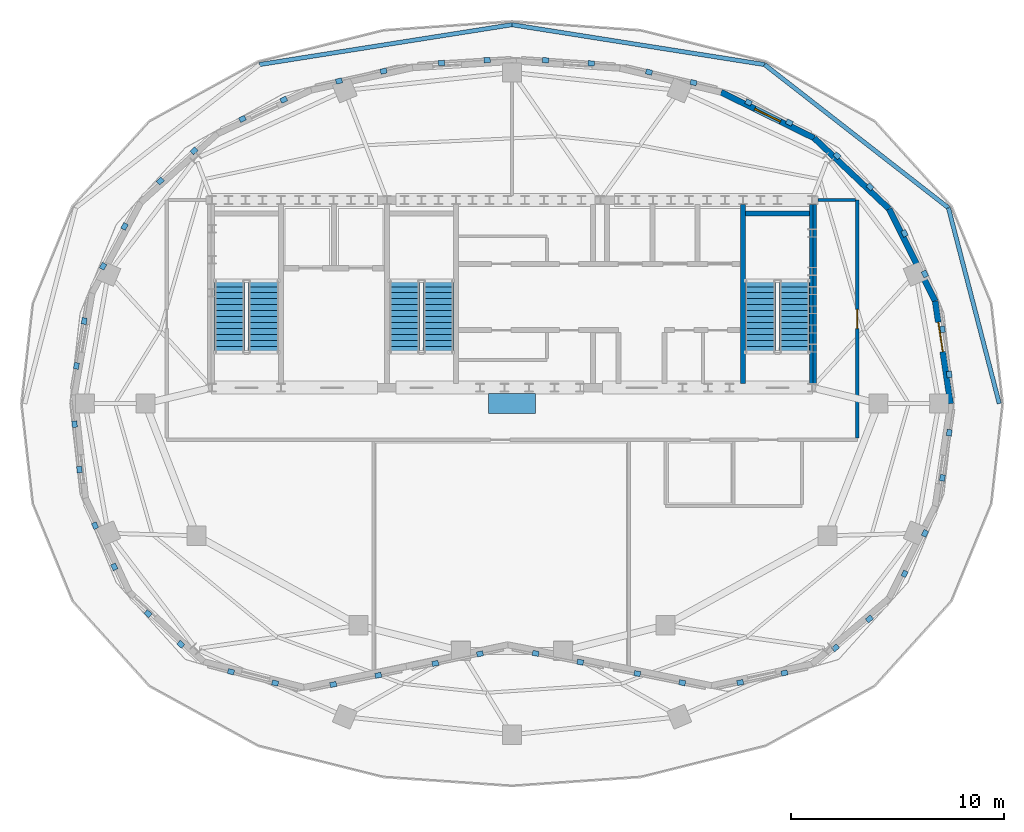
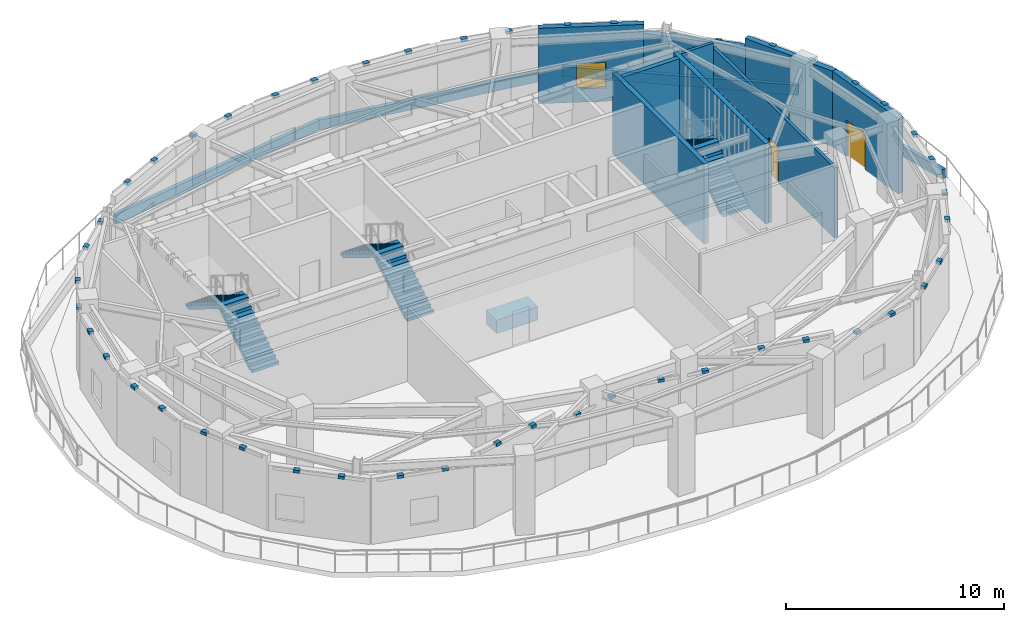
# One storey, part 5 of 8: 49 discrete accessories, 14 walls, 6 stair flights, 2 doors, 1 window, 3 openings, 3 elements without a shape of their own.
"""IFC4 building model written with IfcOpenShell, lengths in metres."""

from ifc_helpers import new_model, si_unit, direction, frame, frame_2d, origin, origin_2d, place, context, subcontext, project, spatial, polyline, rectangle, outline, extrude, material, layer, layer_set, type_object, element, fill, aggregate, save


model = new_model("IFC4")

# Units and contexts
model_context = context("Model", 3, precision=1e-05, world=origin(), true_north=direction((0.0, 1.0)))
body_context = subcontext(model_context, "Body", "Model", "MODEL_VIEW")
ifc_project = project(units=[si_unit("LENGTHUNIT", "METRE"), si_unit("AREAUNIT", "SQUARE_METRE"), si_unit("VOLUMEUNIT", "CUBIC_METRE"), si_unit("PLANEANGLEUNIT", "RADIAN"), si_unit("MASSUNIT", "GRAM", prefix="KILO")], contexts=[model_context])

# Site, building, storey
site_placement = place(None, origin())
site = spatial("IfcSite", under=ifc_project, at=site_placement, CompositionType="ELEMENT")
building_placement = place(site_placement, origin())
building = spatial("IfcBuilding", under=site, at=building_placement, Name="Haldorwick Loom Tower", CompositionType="ELEMENT")
storey_placement = place(building_placement, frame((0.0, 0.0, 291.5)))
storey = spatial("IfcBuildingStorey", under=building, at=storey_placement, Name="L78", CompositionType="ELEMENT", Elevation=291.5)

# Wall, opening, door
ifc_material_1 = material(Name="Pressed Clay Face Brick and Insulated Masonry Backup Assembly", Category="masonry")
ifc_layer_1 = layer(ifc_material_1, 0.280029296875, Name="Pressed Clay Face Brick and Insulated Masonry Backup Assembly", Category="masonry")
ifc_layer_set_1 = layer_set([ifc_layer_1], Name="Pressed Clay Face Brick and Insulated Masonry Backup Assembly")
wall_type_1 = type_object("IfcWallType", Name="ARC-WL-EXT280", PredefinedType="STANDARD", material=ifc_layer_set_1)
wall_1_placement = place(storey_placement, frame((56.573486328125, 26.0, 0.0), z_axis=(0.0, 0.0, 1.0), x_axis=(-0.148254556499, 0.988949233519, 0.0)))
wall_1 = element("IfcWall", 1, at=wall_1_placement, inside=storey, type_object=wall_type_1, Name="L78 Brick Pier and Spandrel Wall 1", PredefinedType="STANDARD", context=body_context, shape_type="SweptSolid", body=[
    extrude(rectangle(XDim=4.864501953125, YDim=0.280029296875, at=frame_2d((2.43212890625, 0.0))), origin(), (0.0, 0.0, 1.0), 4.219970703125),
])
opening_1_placement = place(wall_1_placement, frame((2.458740234375, 0.0, 0.0)))
opening_1 = element("IfcOpeningElement", 2, at=opening_1_placement, cuts=wall_1, Name="Opening D-TR14", PredefinedType="OPENING", context=body_context, shape_type="SweptSolid", body=[
    extrude(rectangle(XDim=1.39990234375, YDim=2.0400390625, at=frame_2d((0.699951171875, 1.02001953125))), frame((0.0, 0.14990234375, 0.0), z_axis=(0.0, -1.0, 0.0), x_axis=(1.0, 0.0, 0.0)), (0.0, 0.0, 1.0), 0.300048828125),
])
ifc_material_2 = material(Name="Thermally Broken Anodized Aluminium Curtain Wall Framing", Category="aluminium")
door_type_1 = type_object("IfcDoorType", Name="ARC-DR-EXT-TER", OperationType="DOUBLE_DOOR_SINGLE_SWING", PredefinedType="DOOR", material=ifc_material_2)
door_1_placement = place(opening_1_placement, origin())
door_1 = element("IfcDoor", 3, at=door_1_placement, inside=storey, type_object=door_type_1, Name="L78 Outdoor Terrace Door SLB-L78-TERR-1", OperationType="DOUBLE_DOOR_SINGLE_SWING", OverallHeight=2.0400390625, OverallWidth=1.39990234375, PredefinedType="DOOR", context=body_context, shape_type="SweptSolid", body=[
    extrude(rectangle(XDim=1.39990234375, YDim=2.0400390625, at=frame_2d((0.699951171875, 1.02001953125))), frame((0.0, 0.02490234375, 0.0), z_axis=(0.0, -1.0, 0.0), x_axis=(1.0, 0.0, 0.0)), (0.0, 0.0, 1.0), 0.050048828125),
])
fill(opening_1, door_1)

# Walls
wall_2_placement = place(storey_placement, frame((55.852294921875, 30.810791015625, 0.0), z_axis=(0.0, 0.0, 1.0), x_axis=(-0.448041427235, 0.894012796039, 0.0)))
element("IfcWall", 4, at=wall_2_placement, inside=storey, type_object=wall_type_1, Name="L78 Brick Pier and Spandrel Wall 2", PredefinedType="STANDARD", context=body_context, shape_type="SweptSolid", body=[
    extrude(rectangle(XDim=4.83544921875, YDim=0.280029296875, at=frame_2d((2.417724609375, 0.0))), origin(), (0.0, 0.0, 1.0), 4.219970703125),
])
wall_3_placement = place(storey_placement, frame((53.685791015625, 35.1337890625, 0.0), z_axis=(0.0, 0.0, 1.0), x_axis=(-0.726472503971, 0.687195533291, 0.0)))
element("IfcWall", 5, at=wall_3_placement, inside=storey, type_object=wall_type_1, Name="L78 Brick Pier and Spandrel Wall 3", PredefinedType="STANDARD", context=body_context, shape_type="SweptSolid", body=[
    extrude(rectangle(XDim=4.8359375, YDim=0.280029296875, at=frame_2d((2.41796875, 0.0))), origin(), (0.0, 0.0, 1.0), 3.72900390625),
])

# Wall, opening, window
wall_4_placement = place(storey_placement, frame((50.172607421875, 38.45703125, 0.0), z_axis=(0.0, 0.0, 1.0), x_axis=(-0.897033755298, 0.441962036669, 0.0)))
wall_4 = element("IfcWall", 6, at=wall_4_placement, inside=storey, type_object=wall_type_1, Name="L78 Brick Pier and Spandrel Wall 4", PredefinedType="STANDARD", context=body_context, shape_type="SweptSolid", body=[
    extrude(rectangle(XDim=4.860595703125, YDim=0.280029296875, at=frame_2d((2.43017578125, 0.0))), origin(), (0.0, 0.0, 1.0), 4.219970703125),
])
opening_2_placement = place(wall_4_placement, frame((1.75537109375, 0.0, 0.75)))
opening_2 = element("IfcOpeningElement", 7, at=opening_2_placement, cuts=wall_4, Name="Opening W-02B", PredefinedType="OPENING", context=body_context, shape_type="SweptSolid", body=[
    extrude(rectangle(XDim=1.35009765625, YDim=1.419921875, at=frame_2d((0.675048828125, 0.7099609375))), frame((0.0, 0.14990234375, 0.0), z_axis=(0.0, -1.0, 0.0), x_axis=(1.0, 0.0, 0.0)), (0.0, 0.0, 1.0), 0.300048828125),
])
ifc_material_3 = material(Name="Triple-Glazed Low-E Argon Insulated Glazing Unit", Category="glass")
window_type = type_object("IfcWindowType", Name="ARC-WIN-W135", PartitioningType="SINGLE_PANEL", PredefinedType="WINDOW", material=ifc_material_3)
window_placement = place(opening_2_placement, origin())
window = element("IfcWindow", 8, at=window_placement, inside=storey, type_object=window_type, Name="L78 Deep-Set Zone 7A Window 4", OverallHeight=1.419921875, OverallWidth=1.35009765625, PartitioningType="SINGLE_PANEL", PredefinedType="WINDOW", context=body_context, shape_type="SweptSolid", body=[
    extrude(rectangle(XDim=1.35009765625, YDim=1.419921875, at=frame_2d((0.675048828125, 0.7099609375))), frame((0.0, 0.030029296875, 0.0), z_axis=(0.0, -1.0, 0.0), x_axis=(1.0, 0.0, 0.0)), (0.0, 0.0, 1.0), 0.06005859375),
])
fill(opening_2, window)

# Wall, opening, door
ifc_material_4 = material(Name="Fire-Rated Type X Gypsum Stud Assembly EI 60")
ifc_layer_2 = layer(ifc_material_4, 0.159912109375, Name="Fire-Rated Type X Gypsum Stud Assembly EI 60")
ifc_layer_set_2 = layer_set([ifc_layer_2], Name="Fire-Rated Type X Gypsum Stud Assembly EI 60")
wall_type_2 = type_object("IfcWallType", Name="ARC-WL-FIRE160", PredefinedType="PARTITIONING", material=ifc_layer_set_2)
wall_5_placement = place(storey_placement, frame((52.199951171875, 24.383056640625, 0.0), z_axis=(0.0, 0.0, 1.0), x_axis=(0.0, 1.0, 0.0)))
wall_5 = element("IfcWall", 9, at=wall_5_placement, inside=storey, type_object=wall_type_2, Name="L78 Interior Partition L78-CE0", PredefinedType="PARTITIONING", context=body_context, shape_type="SweptSolid", body=[
    extrude(rectangle(XDim=11.1669921875, YDim=0.159912109375, at=frame_2d((5.58349609375, 0.0))), origin(), (0.0, 0.0, 1.0), 3.93701171875),
])
opening_3_placement = place(wall_5_placement, frame((5.133544921875, 0.0, 0.0)))
opening_3 = element("IfcOpeningElement", 10, at=opening_3_placement, cuts=wall_5, Name="Opening D-FD60A", PredefinedType="OPENING", context=body_context, shape_type="SweptSolid", body=[
    extrude(rectangle(XDim=0.89990234375, YDim=2.0, at=frame_2d((0.449951171875, 1.0))), frame((0.0, 0.08984375, 0.0), z_axis=(0.0, -1.0, 0.0), x_axis=(1.0, 0.0, 0.0)), (0.0, 0.0, 1.0), 0.179931640625),
])
ifc_material_5 = material(Name="Hollow Steel Fire Door Assembly", Category="steel")
door_type_2 = type_object("IfcDoorType", Name="ARC-DR-FD60-90", OperationType="NOTDEFINED", PredefinedType="DOOR", material=ifc_material_5)
door_2_placement = place(opening_3_placement, origin())
door_2 = element("IfcDoor", 11, at=door_2_placement, inside=storey, type_object=door_type_2, Name="L78 L78 Central Transfer Corridor to Conservatory Seminar Room 5 Door", OperationType="SINGLE_SWING_LEFT", OverallHeight=2.0, OverallWidth=0.89990234375, PredefinedType="DOOR", context=body_context, shape_type="SweptSolid", body=[
    extrude(rectangle(XDim=0.89990234375, YDim=2.0, at=frame_2d((0.449951171875, 1.0))), frame((0.0, 0.02490234375, 0.0), z_axis=(0.0, -1.0, 0.0), x_axis=(1.0, 0.0, 0.0)), (0.0, 0.0, 1.0), 0.050048828125),
])
fill(opening_3, door_2)

# Walls
wall_6_placement = place(storey_placement, frame((50.199951171875, 26.952880859375, 0.0), z_axis=(0.0, 0.0, 1.0), x_axis=(0.0, 1.0, 0.0)))
element("IfcWall", 12, at=wall_6_placement, inside=storey, type_object=wall_type_2, Name="L78 Interior Partition L78-CE2", PredefinedType="PARTITIONING", context=body_context, shape_type="SweptSolid", body=[
    extrude(rectangle(XDim=8.39404296875, YDim=0.159912109375, at=frame_2d((4.197021484375, 0.0))), origin(), (0.0, 0.0, 1.0), 4.205078125),
])
wall_7_placement = place(storey_placement, frame((50.35009765625, 35.550048828125, 0.0), z_axis=(0.0, 0.0, 1.0), x_axis=(1.0, 0.0, 0.0)))
element("IfcWall", 13, at=wall_7_placement, inside=storey, type_object=wall_type_2, Name="L78 Interior Partition L78-CEN", PredefinedType="PARTITIONING", context=body_context, shape_type="SweptSolid", body=[
    extrude(rectangle(XDim=1.766845703125, YDim=0.159912109375, at=frame_2d((0.88330078125, 0.0))), origin(), (0.0, 0.0, 1.0), 4.205078125),
])
ifc_layer_3 = layer(ifc_material_1, 0.199951171875, Name="Pressed Clay Face Brick and Insulated Masonry Backup Assembly", Category="masonry")
ifc_layer_set_3 = layer_set([ifc_layer_3], Name="Pressed Clay Face Brick and Insulated Masonry Backup Assembly")
wall_type_3 = type_object("IfcWallType", Name="ARC-WL-PARAPET200", PredefinedType="PARAPET", material=ifc_layer_set_3)
wall_8_placement = place(storey_placement, frame((24.1513671875, 41.90380859375, 0.0), z_axis=(0.0, 0.0, 1.0), x_axis=(0.987762800306, 0.155963618617, 0.0)))
element("IfcWall", 14, at=wall_8_placement, inside=storey, type_object=wall_type_3, Name="L78 Terrace Masonry Parapet 3", PredefinedType="PARAPET", context=body_context, shape_type="SweptSolid", body=[
    extrude(rectangle(XDim=11.995361328125, YDim=0.199951171875, at=frame_2d((5.99755859375, 0.0))), origin(), (0.0, 0.0, 1.0), 0.550048828125),
])
wall_9_placement = place(storey_placement, frame((36.0, 43.774658203125, 0.0), z_axis=(0.0, 0.0, 1.0), x_axis=(0.987758509696, -0.155990789864, 0.0)))
element("IfcWall", 15, at=wall_9_placement, inside=storey, type_object=wall_type_3, Name="L78 Terrace Masonry Parapet 4", PredefinedType="PARAPET", context=body_context, shape_type="SweptSolid", body=[
    extrude(rectangle(XDim=11.99658203125, YDim=0.199951171875, at=frame_2d((5.998291015625, 0.0))), origin(), (0.0, 0.0, 1.0), 0.550048828125),
])
wall_10_placement = place(storey_placement, frame((47.849609375, 41.9033203125, 0.0), z_axis=(0.0, 0.0, 1.0), x_axis=(0.788767530355, -0.614691616225, 0.0)))
element("IfcWall", 16, at=wall_10_placement, inside=storey, type_object=wall_type_3, Name="L78 Terrace Masonry Parapet 5", PredefinedType="PARAPET", context=body_context, shape_type="SweptSolid", body=[
    extrude(rectangle(XDim=10.933837890625, YDim=0.199951171875, at=frame_2d((5.466796875, 0.0))), origin(), (0.0, 0.0, 1.0), 0.550048828125),
])
wall_11_placement = place(storey_placement, frame((56.473876953125, 35.182373046875, 0.0), z_axis=(0.0, 0.0, 1.0), x_axis=(0.251444387214, -0.967871747774, 0.0)))
element("IfcWall", 17, at=wall_11_placement, inside=storey, type_object=wall_type_3, Name="L78 Terrace Masonry Parapet 6", PredefinedType="PARAPET", context=body_context, shape_type="SweptSolid", body=[
    extrude(rectangle(XDim=9.487060546875, YDim=0.199951171875, at=frame_2d((4.74365234375, 0.0))), origin(), (0.0, 0.0, 1.0), 0.550048828125),
])
ifc_material_6 = material(Name="Concrete C50 (50 MPa)", Category="concrete")
ifc_layer_4 = layer(ifc_material_6, 0.239990234375, Name="Concrete C50 (50 MPa)", Category="concrete")
ifc_layer_set_4 = layer_set([ifc_layer_4], Name="Concrete C50 (50 MPa)")
wall_type_4 = type_object("IfcWallType", Name="STR-WL-SHAFT240", PredefinedType="SHEAR", material=ifc_layer_set_4)
for number, where, z_axis, x_axis, name in (
    (18, (50.070068359375, 26.952880859375, 0.0), (0.0, 0.0, 1.0), (0.0, 1.0, 0.0), "L78 Core Shear Wall E"),
    (19, (46.830078125, 26.952880859375, 0.0), (0.0, 0.0, 1.0), (0.0, 1.0, 0.0), "L78 Core Shear Wall 4"),
):
    element("IfcWall", number, at=place(storey_placement, frame(where, z_axis=z_axis, x_axis=x_axis)), inside=storey, type_object=wall_type_4, Name=name, PredefinedType="SHEAR", context=body_context, shape_type="SweptSolid", body=[
        extrude(rectangle(XDim=8.39404296875, YDim=0.239990234375, at=frame_2d((4.197021484375, 0.0))), origin(), (0.0, 0.0, 1.0), 4.5),
    ])
wall_12_placement = place(storey_placement, frame((46.952880859375, 34.919921875, 0.0), z_axis=(0.0, 0.0, 1.0), x_axis=(1.0, 0.0, 0.0)))
element("IfcWall", 20, at=wall_12_placement, inside=storey, type_object=wall_type_4, Name="L78 Core Shear Wall 4N", PredefinedType="SHEAR", context=body_context, shape_type="SweptSolid", body=[
    extrude(rectangle(XDim=2.994140625, YDim=0.239990234375, at=frame_2d((1.4970703125, 0.0))), origin(), (0.0, 0.0, 1.0), 4.5),
])

# Stair, stair flights
ifc_material_7 = material(Name="Concrete C40 (40 MPa)", Category="concrete")
stair_type = type_object("IfcStairType", Name="STR-STR-CORE", PredefinedType="HALF_TURN_STAIR", material=ifc_material_7)
stair_1_placement = place(storey_placement, origin())
stair_1 = element("IfcStair", 21, at=stair_1_placement, inside=storey, type_object=stair_type, Name="L78 Exit Stair ST-01", PredefinedType="HALF_TURN_STAIR")
stair_flight_type = type_object("IfcStairFlightType", Name="STR-STF-1250", PredefinedType="STRAIGHT", material=ifc_material_7)
stair_flight_1_placement = place(storey_placement, frame((24.35009765625, 28.39990234375, 0.0), z_axis=(0.0, 0.0, 1.0), x_axis=(0.0, 1.0, 0.0)))
stair_flight_1 = element("IfcStairFlight", 22, at=stair_flight_1_placement, type_object=stair_flight_type, Name="ST-01 flight 1", NumberOfRisers=13, NumberOfTreads=12, PredefinedType="STRAIGHT", RiserHeight=0.173076923, TreadLength=0.28, context=body_context, shape_type="SweptSolid", body=[
    extrude(outline(polyline([(0.0, 0.0), (0.0, 0.173095703125), (0.280029296875, 0.173095703125), (0.280029296875, 0.34619140625), (0.56005859375, 0.34619140625), (0.56005859375, 0.519287109375), (0.840087890625, 0.519287109375), (0.840087890625, 0.6923828125), (1.1201171875, 0.6923828125), (1.1201171875, 0.865478515625), (1.39990234375, 0.865478515625), (1.39990234375, 1.03857421875), (1.679931640625, 1.03857421875), (1.679931640625, 1.21142578125), (1.9599609375, 1.21142578125), (1.9599609375, 1.384521484375), (2.239990234375, 1.384521484375), (2.239990234375, 1.5576171875), (2.52001953125, 1.5576171875), (2.52001953125, 1.730712890625), (2.800048828125, 1.730712890625), (2.800048828125, 1.90380859375), (3.080078125, 1.90380859375), (3.080078125, 2.076904296875), (3.360107421875, 2.076904296875), (3.360107421875, 2.25), (3.360107421875, 1.900634765625), (0.28515625, 0.0), (0.0, 0.0)])), frame((0.0, 0.699951171875, 0.0), z_axis=(0.0, -1.0, 0.0), x_axis=(1.0, 0.0, 0.0)), (0.0, 0.0, 1.0), 1.39990234375),
])
stair_flight_2_placement = place(storey_placement, frame((22.75, 31.760009765625, 2.25), z_axis=(0.0, 0.0, 1.0), x_axis=(0.0, -1.0, 0.0)))
stair_flight_2 = element("IfcStairFlight", 23, at=stair_flight_2_placement, type_object=stair_flight_type, Name="ST-01 flight 2", NumberOfRisers=13, NumberOfTreads=12, PredefinedType="STRAIGHT", RiserHeight=0.173076923, TreadLength=0.28, context=body_context, shape_type="SweptSolid", body=[
    extrude(outline(polyline([(0.0, 0.0), (0.0, 0.173095703125), (0.280029296875, 0.173095703125), (0.280029296875, 0.34619140625), (0.56005859375, 0.34619140625), (0.56005859375, 0.519287109375), (0.840087890625, 0.519287109375), (0.840087890625, 0.6923828125), (1.1201171875, 0.6923828125), (1.1201171875, 0.865478515625), (1.39990234375, 0.865478515625), (1.39990234375, 1.03857421875), (1.679931640625, 1.03857421875), (1.679931640625, 1.21142578125), (1.9599609375, 1.21142578125), (1.9599609375, 1.384521484375), (2.239990234375, 1.384521484375), (2.239990234375, 1.5576171875), (2.52001953125, 1.5576171875), (2.52001953125, 1.730712890625), (2.800048828125, 1.730712890625), (2.800048828125, 1.90380859375), (3.080078125, 1.90380859375), (3.080078125, 2.076904296875), (3.360107421875, 2.076904296875), (3.360107421875, 2.25), (3.360107421875, 1.900634765625), (0.28515625, 0.0), (0.0, 0.0)])), frame((0.0, 0.699951171875, 0.0), z_axis=(0.0, -1.0, 0.0), x_axis=(1.0, 0.0, 0.0)), (0.0, 0.0, 1.0), 1.39990234375),
])
aggregate(stair_1, [stair_flight_1, stair_flight_2])

stair_2_placement = place(storey_placement, origin())
stair_2 = element("IfcStair", 24, at=stair_2_placement, inside=storey, type_object=stair_type, Name="L78 Exit Stair ST-02", PredefinedType="HALF_TURN_STAIR")
stair_flight_3_placement = place(storey_placement, frame((49.25, 28.39990234375, 0.0), z_axis=(0.0, 0.0, 1.0), x_axis=(0.0, 1.0, 0.0)))
stair_flight_3 = element("IfcStairFlight", 25, at=stair_flight_3_placement, type_object=stair_flight_type, Name="ST-02 flight 1", NumberOfRisers=13, NumberOfTreads=12, PredefinedType="STRAIGHT", RiserHeight=0.173076923, TreadLength=0.28, context=body_context, shape_type="SweptSolid", body=[
    extrude(outline(polyline([(0.0, 0.0), (0.0, 0.173095703125), (0.280029296875, 0.173095703125), (0.280029296875, 0.34619140625), (0.56005859375, 0.34619140625), (0.56005859375, 0.519287109375), (0.840087890625, 0.519287109375), (0.840087890625, 0.6923828125), (1.1201171875, 0.6923828125), (1.1201171875, 0.865478515625), (1.39990234375, 0.865478515625), (1.39990234375, 1.03857421875), (1.679931640625, 1.03857421875), (1.679931640625, 1.21142578125), (1.9599609375, 1.21142578125), (1.9599609375, 1.384521484375), (2.239990234375, 1.384521484375), (2.239990234375, 1.5576171875), (2.52001953125, 1.5576171875), (2.52001953125, 1.730712890625), (2.800048828125, 1.730712890625), (2.800048828125, 1.90380859375), (3.080078125, 1.90380859375), (3.080078125, 2.076904296875), (3.360107421875, 2.076904296875), (3.360107421875, 2.25), (3.360107421875, 1.900634765625), (0.28515625, 0.0), (0.0, 0.0)])), frame((0.0, 0.699951171875, 0.0), z_axis=(0.0, -1.0, 0.0), x_axis=(1.0, 0.0, 0.0)), (0.0, 0.0, 1.0), 1.39990234375),
])
stair_flight_4_placement = place(storey_placement, frame((47.64990234375, 31.760009765625, 2.25), z_axis=(0.0, 0.0, 1.0), x_axis=(0.0, -1.0, 0.0)))
stair_flight_4 = element("IfcStairFlight", 26, at=stair_flight_4_placement, type_object=stair_flight_type, Name="ST-02 flight 2", NumberOfRisers=13, NumberOfTreads=12, PredefinedType="STRAIGHT", RiserHeight=0.173076923, TreadLength=0.28, context=body_context, shape_type="SweptSolid", body=[
    extrude(outline(polyline([(0.0, 0.0), (0.0, 0.173095703125), (0.280029296875, 0.173095703125), (0.280029296875, 0.34619140625), (0.56005859375, 0.34619140625), (0.56005859375, 0.519287109375), (0.840087890625, 0.519287109375), (0.840087890625, 0.6923828125), (1.1201171875, 0.6923828125), (1.1201171875, 0.865478515625), (1.39990234375, 0.865478515625), (1.39990234375, 1.03857421875), (1.679931640625, 1.03857421875), (1.679931640625, 1.21142578125), (1.9599609375, 1.21142578125), (1.9599609375, 1.384521484375), (2.239990234375, 1.384521484375), (2.239990234375, 1.5576171875), (2.52001953125, 1.5576171875), (2.52001953125, 1.730712890625), (2.800048828125, 1.730712890625), (2.800048828125, 1.90380859375), (3.080078125, 1.90380859375), (3.080078125, 2.076904296875), (3.360107421875, 2.076904296875), (3.360107421875, 2.25), (3.360107421875, 1.900634765625), (0.28515625, 0.0), (0.0, 0.0)])), frame((0.0, 0.699951171875, 0.0), z_axis=(0.0, -1.0, 0.0), x_axis=(1.0, 0.0, 0.0)), (0.0, 0.0, 1.0), 1.39990234375),
])
aggregate(stair_2, [stair_flight_3, stair_flight_4])

stair_3_placement = place(storey_placement, origin())
stair_3 = element("IfcStair", 27, at=stair_3_placement, inside=storey, type_object=stair_type, Name="L78 Exit Stair ST-03", PredefinedType="HALF_TURN_STAIR")
stair_flight_5_placement = place(storey_placement, frame((32.550048828125, 28.39990234375, 0.0), z_axis=(0.0, 0.0, 1.0), x_axis=(0.0, 1.0, 0.0)))
stair_flight_5 = element("IfcStairFlight", 28, at=stair_flight_5_placement, type_object=stair_flight_type, Name="ST-03 flight 1", NumberOfRisers=13, NumberOfTreads=12, PredefinedType="STRAIGHT", RiserHeight=0.173076923, TreadLength=0.28, context=body_context, shape_type="SweptSolid", body=[
    extrude(outline(polyline([(0.0, 0.0), (0.0, 0.173095703125), (0.280029296875, 0.173095703125), (0.280029296875, 0.34619140625), (0.56005859375, 0.34619140625), (0.56005859375, 0.519287109375), (0.840087890625, 0.519287109375), (0.840087890625, 0.6923828125), (1.1201171875, 0.6923828125), (1.1201171875, 0.865478515625), (1.39990234375, 0.865478515625), (1.39990234375, 1.03857421875), (1.679931640625, 1.03857421875), (1.679931640625, 1.21142578125), (1.9599609375, 1.21142578125), (1.9599609375, 1.384521484375), (2.239990234375, 1.384521484375), (2.239990234375, 1.5576171875), (2.52001953125, 1.5576171875), (2.52001953125, 1.730712890625), (2.800048828125, 1.730712890625), (2.800048828125, 1.90380859375), (3.080078125, 1.90380859375), (3.080078125, 2.076904296875), (3.360107421875, 2.076904296875), (3.360107421875, 2.25), (3.360107421875, 1.900634765625), (0.28515625, 0.0), (0.0, 0.0)])), frame((0.0, 0.699951171875, 0.0), z_axis=(0.0, -1.0, 0.0), x_axis=(1.0, 0.0, 0.0)), (0.0, 0.0, 1.0), 1.39990234375),
])
stair_flight_6_placement = place(storey_placement, frame((30.949951171875, 31.760009765625, 2.25), z_axis=(0.0, 0.0, 1.0), x_axis=(0.0, -1.0, 0.0)))
stair_flight_6 = element("IfcStairFlight", 29, at=stair_flight_6_placement, type_object=stair_flight_type, Name="ST-03 flight 2", NumberOfRisers=13, NumberOfTreads=12, PredefinedType="STRAIGHT", RiserHeight=0.173076923, TreadLength=0.28, context=body_context, shape_type="SweptSolid", body=[
    extrude(outline(polyline([(0.0, 0.0), (0.0, 0.173095703125), (0.280029296875, 0.173095703125), (0.280029296875, 0.34619140625), (0.56005859375, 0.34619140625), (0.56005859375, 0.519287109375), (0.840087890625, 0.519287109375), (0.840087890625, 0.6923828125), (1.1201171875, 0.6923828125), (1.1201171875, 0.865478515625), (1.39990234375, 0.865478515625), (1.39990234375, 1.03857421875), (1.679931640625, 1.03857421875), (1.679931640625, 1.21142578125), (1.9599609375, 1.21142578125), (1.9599609375, 1.384521484375), (2.239990234375, 1.384521484375), (2.239990234375, 1.5576171875), (2.52001953125, 1.5576171875), (2.52001953125, 1.730712890625), (2.800048828125, 1.730712890625), (2.800048828125, 1.90380859375), (3.080078125, 1.90380859375), (3.080078125, 2.076904296875), (3.360107421875, 2.076904296875), (3.360107421875, 2.25), (3.360107421875, 1.900634765625), (0.28515625, 0.0), (0.0, 0.0)])), frame((0.0, 0.699951171875, 0.0), z_axis=(0.0, -1.0, 0.0), x_axis=(1.0, 0.0, 0.0)), (0.0, 0.0, 1.0), 1.39990234375),
])
aggregate(stair_3, [stair_flight_5, stair_flight_6])

# Discrete accessories
ifc_material_8 = material(Name="Galvanized Steel CSA G40.21 350W", Category="steel")
discrete_accessory_type_1 = type_object("IfcDiscreteAccessoryType", Name="ARC-ACC-BRACKET", PredefinedType="BRACKET", material=ifc_material_8)
for number, where, z_axis, x_axis, name in (
    (30, (56.510009765625, 27.367919921875, 4.06005859375), (0.0, 0.0, 1.0), (-0.14780941113, 0.989015863362, 0.0), "L78 Stainless Masonry Shelf Angle Bracket 1L"),
    (31, (56.192626953125, 29.484619140625, 4.06005859375), (0.0, 0.0, 1.0), (-0.14780941113, 0.989015863362, 0.0), "L78 Stainless Masonry Shelf Angle Bracket 1R"),
    (32, (55.370849609375, 32.083984375, 4.06005859375), (0.0, 0.0, 1.0), (-0.447759087839, 0.894154236839, 0.0), "L78 Stainless Masonry Shelf Angle Bracket 2L"),
    (33, (54.41748046875, 33.986083984375, 4.06005859375), (0.0, 0.0, 1.0), (-0.447759087839, 0.894154236839, 0.0), "L78 Stainless Masonry Shelf Angle Bracket 2R"),
    (34, (52.79833984375, 36.166015625, 3.56884765625), (0.0, 0.0, 1.0), (-0.726574670971, 0.687087510804, 0.0), "L78 Stainless Masonry Shelf Angle Bracket 3L"),
    (35, (51.252685546875, 37.62841796875, 3.56884765625), (0.0, 0.0, 1.0), (-0.726574670971, 0.687087510804, 0.0), "L78 Stainless Masonry Shelf Angle Bracket 3R"),
    (36, (49.013671875, 39.18408203125, 4.06005859375), (0.0, 0.0, 1.0), (-0.897258369674, 0.441505852792, 0.0), "L78 Stainless Masonry Shelf Angle Bracket 4L"),
    (37, (47.09521484375, 40.12939453125, 4.06005859375), (0.0, 0.0, 1.0), (-0.897258369674, 0.441505852792, 0.0), "L78 Stainless Masonry Shelf Angle Bracket 4R"),
    (38, (44.51611328125, 41.0556640625, 4.06005859375), (0.0, 0.0, 1.0), (-0.973178872777, 0.230049737188, 0.0), "L78 Stainless Masonry Shelf Angle Bracket 5L"),
    (39, (42.42822265625, 41.54931640625, 4.06005859375), (0.0, 0.0, 1.0), (-0.973178872777, 0.230049737188, 0.0), "L78 Stainless Masonry Shelf Angle Bracket 5R"),
    (40, (39.71484375, 41.960205078125, 4.06005859375), (0.0, 0.0, 1.0), (-0.997684278836, 0.068015290665, 0.0), "L78 Stainless Masonry Shelf Angle Bracket 6L"),
    (41, (37.57421875, 42.10693359375, 4.06005859375), (0.0, 0.0, 1.0), (-0.997684278836, 0.068015290665, 0.0), "L78 Stainless Masonry Shelf Angle Bracket 6R"),
    (42, (34.83154296875, 42.114501953125, 4.06005859375), (0.0, 0.0, 1.0), (-0.998026728428, -0.062790519529, 0.0), "L78 Stainless Masonry Shelf Angle Bracket 7L"),
    (43, (32.69140625, 41.97998046875, 4.06005859375), (0.0, 0.0, 1.0), (-0.998026728428, -0.062790519529, 0.0), "L78 Stainless Masonry Shelf Angle Bracket 7R"),
    (44, (29.976318359375, 41.5966796875, 4.06005859375), (0.0, 0.0, 1.0), (-0.97629600712, -0.216439613938, 0.0), "L78 Stainless Masonry Shelf Angle Bracket 8L"),
    (45, (27.8837890625, 41.134033203125, 4.06005859375), (0.0, 0.0, 1.0), (-0.97629600712, -0.216439613938, 0.0), "L78 Stainless Masonry Shelf Angle Bracket 8R"),
    (46, (25.291748046875, 40.255859375, 4.06005859375), (0.0, 0.0, 1.0), (-0.906307787037, -0.422618261741, 0.0), "L78 Stainless Masonry Shelf Angle Bracket 9L"),
    (47, (23.356689453125, 39.353515625, 4.06005859375), (0.0, 0.0, 1.0), (-0.906307787037, -0.422618261741, 0.0), "L78 Stainless Masonry Shelf Angle Bracket 9R"),
    (48, (21.083740234375, 37.856201171875, 3.56884765625), (0.0, 0.0, 1.0), (-0.745475999683, -0.666532470249, 0.0), "L78 Stainless Masonry Shelf Angle Bracket 10L"),
    (49, (19.5009765625, 36.441162109375, 3.56884765625), (0.0, 0.0, 1.0), (-0.745475999683, -0.666532470249, 0.0), "L78 Stainless Masonry Shelf Angle Bracket 10R"),
    (50, (17.82373046875, 34.312744140625, 3.56884765625), (0.0, 0.0, 1.0), (-0.474088209047, -0.880477353509, 0.0), "L78 Stainless Masonry Shelf Angle Bracket 11L"),
    (51, (16.818603515625, 32.443603515625, 3.56884765625), (0.0, 0.0, 1.0), (-0.474088209047, -0.880477353509, 0.0), "L78 Stainless Masonry Shelf Angle Bracket 11R"),
    (52, (15.931884765625, 29.872314453125, 4.06005859375), (0.0, 0.0, 1.0), (-0.170209499166, -0.985407898483, 0.0), "L78 Stainless Masonry Shelf Angle Bracket 12L"),
    (53, (15.56689453125, 27.767578125, 4.06005859375), (0.0, 0.0, 1.0), (-0.170209499166, -0.985407898483, 0.0), "L78 Stainless Masonry Shelf Angle Bracket 12R"),
    (54, (15.479248046875, 25.034423828125, 4.06005859375), (0.0, 0.0, 1.0), (0.106264071336, -0.994337944133, 0.0), "L78 Stainless Masonry Shelf Angle Bracket 13L"),
    (55, (15.70849609375, 22.905517578125, 4.06005859375), (0.0, 0.0, 1.0), (0.106264071336, -0.994337944133, 0.0), "L78 Stainless Masonry Shelf Angle Bracket 13R"),
    (56, (16.43994140625, 20.275390625, 4.06005859375), (0.0, 0.0, 1.0), (0.422618261741, -0.906307787037, 0.0), "L78 Stainless Masonry Shelf Angle Bracket 14L"),
    (57, (17.341064453125, 18.34033203125, 4.06005859375), (0.0, 0.0, 1.0), (0.422618261741, -0.906307787037, 0.0), "L78 Stainless Masonry Shelf Angle Bracket 14R"),
    (58, (18.924072265625, 16.149658203125, 3.56884765625), (0.0, 0.0, 1.0), (0.730162276621, -0.683273773681, 0.0), "L78 Stainless Masonry Shelf Angle Bracket 15L"),
    (59, (20.461669921875, 14.70947265625, 3.56884765625), (0.0, 0.0, 1.0), (0.730162276621, -0.683273773681, 0.0), "L78 Stainless Masonry Shelf Angle Bracket 15R"),
    (60, (22.8193359375, 13.42138671875, 3.56884765625), (0.0, 0.0, 1.0), (0.968583161129, -0.248689887165, 0.0), "L78 Stainless Masonry Shelf Angle Bracket 16L"),
    (61, (24.89111328125, 12.8896484375, 3.56884765625), (0.0, 0.0, 1.0), (0.968583161129, -0.248689887165, 0.0), "L78 Stainless Masonry Shelf Angle Bracket 16R"),
    (62, (27.614990234375, 12.8232421875, 4.06005859375), (0.0, 0.0, 1.0), (0.979924704621, 0.199367934417, 0.0), "L78 Stainless Masonry Shelf Angle Bracket 17L"),
    (63, (29.724853515625, 13.2529296875, 4.06005859375), (0.0, 0.0, 1.0), (0.979924704621, 0.199367934417, 0.0), "L78 Stainless Masonry Shelf Angle Bracket 17R"),
    (64, (32.40234375, 13.81201171875, 3.4189453125), (0.0, 0.0, 1.0), (0.977783236759, 0.209618562904, 0.0), "L78 Stainless Masonry Shelf Angle Bracket 18L"),
    (65, (34.497802734375, 14.260498046875, 3.4189453125), (0.0, 0.0, 1.0), (0.977783236759, 0.209618562904, 0.0), "L78 Stainless Masonry Shelf Angle Bracket 18R"),
    (66, (37.10791015625, 14.282958984375, 3.4189453125), (0.0, 0.0, 1.0), (0.981292663992, -0.192521966526, 0.0), "L78 Stainless Masonry Shelf Angle Bracket 19L"),
    (67, (39.2021484375, 13.8701171875, 3.4189453125), (0.0, 0.0, 1.0), (0.981292663992, -0.192521966526, 0.0), "L78 Stainless Masonry Shelf Angle Bracket 19R"),
    (68, (41.876220703125, 13.334228515625, 4.06005859375), (0.0, 0.0, 1.0), (0.979924704621, -0.199367934417, 0.0), "L78 Stainless Masonry Shelf Angle Bracket 20L"),
    (69, (43.9853515625, 12.904541015625, 4.06005859375), (0.0, 0.0, 1.0), (0.979924704621, -0.199367934417, 0.0), "L78 Stainless Masonry Shelf Angle Bracket 20R"),
    (70, (46.70556640625, 12.915771484375, 3.56884765625), (0.0, 0.0, 1.0), (0.977415894286, 0.211324796455, 0.0), "L78 Stainless Masonry Shelf Angle Bracket 21L"),
    (71, (48.781005859375, 13.36279296875, 3.56884765625), (0.0, 0.0, 1.0), (0.977415894286, 0.211324796455, 0.0), "L78 Stainless Masonry Shelf Angle Bracket 21R"),
    (72, (51.1748046875, 14.540283203125, 3.56884765625), (0.0, 0.0, 1.0), (0.7604059656, 0.64944804833, 0.0), "L78 Stainless Masonry Shelf Angle Bracket 22L"),
    (73, (52.764892578125, 15.896484375, 3.56884765625), (0.0, 0.0, 1.0), (0.7604059656, 0.64944804833, 0.0), "L78 Stainless Masonry Shelf Angle Bracket 22R"),
    (74, (54.41748046875, 18.013916015625, 4.06005859375), (0.0, 0.0, 1.0), (0.447759087839, 0.894154236839, 0.0), "L78 Stainless Masonry Shelf Angle Bracket 23L"),
    (75, (55.370849609375, 19.916015625, 4.06005859375), (0.0, 0.0, 1.0), (0.447759087839, 0.894154236839, 0.0), "L78 Stainless Masonry Shelf Angle Bracket 23R"),
    (76, (56.192626953125, 22.515380859375, 4.06005859375), (0.0, 0.0, 1.0), (0.14780941113, 0.989015863362, 0.0), "L78 Stainless Masonry Shelf Angle Bracket 24L"),
    (77, (56.510009765625, 24.632080078125, 4.06005859375), (0.0, 0.0, 1.0), (0.14780941113, 0.989015863362, 0.0), "L78 Stainless Masonry Shelf Angle Bracket 24R"),
):
    element("IfcDiscreteAccessory", number, at=place(storey_placement, frame(where, z_axis=z_axis, x_axis=x_axis)), inside=storey, type_object=discrete_accessory_type_1, Name=name, PredefinedType="BRACKET", context=body_context, shape_type="SweptSolid", body=[
        extrude(rectangle(XDim=0.300048828125, YDim=0.239990234375, at=origin_2d()), origin(), (0.0, 0.0, 1.0), 0.159912109375),
    ])
ifc_material_9 = material(Name="Architectural Precast Concrete C40 (40 MPa)", Category="concrete")
discrete_accessory_type_2 = type_object("IfcDiscreteAccessoryType", Name="ARC-ACC-PLANTER", PredefinedType="USERDEFINED", material=ifc_material_9)
discrete_accessory_placement = place(storey_placement, frame((36.0, 26.001220703125, 0.0), z_axis=(0.0, 0.0, 1.0), x_axis=(1.0, 0.0, 0.0)))
element("IfcDiscreteAccessory", 78, at=discrete_accessory_placement, inside=storey, type_object=discrete_accessory_type_2, Name="L78 Setback Terrace Planter", ObjectType="PLANTER", PredefinedType="USERDEFINED", context=body_context, shape_type="SweptSolid", body=[
    extrude(rectangle(XDim=2.199951171875, YDim=0.949951171875, at=origin_2d()), origin(), (0.0, 0.0, 1.0), 0.75),
])

save(model, "model.ifc")
